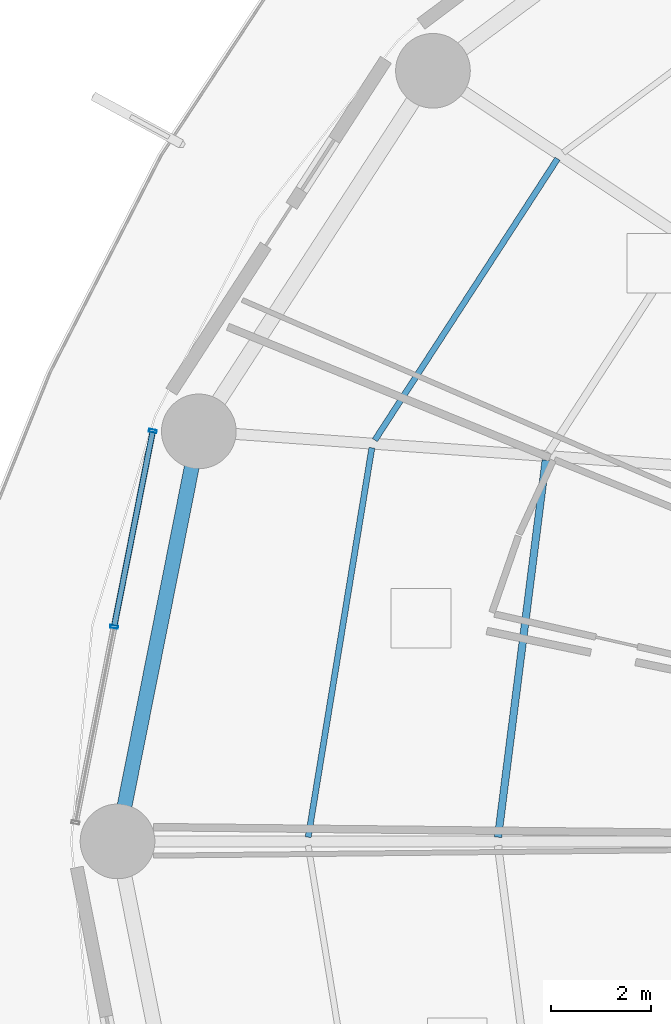
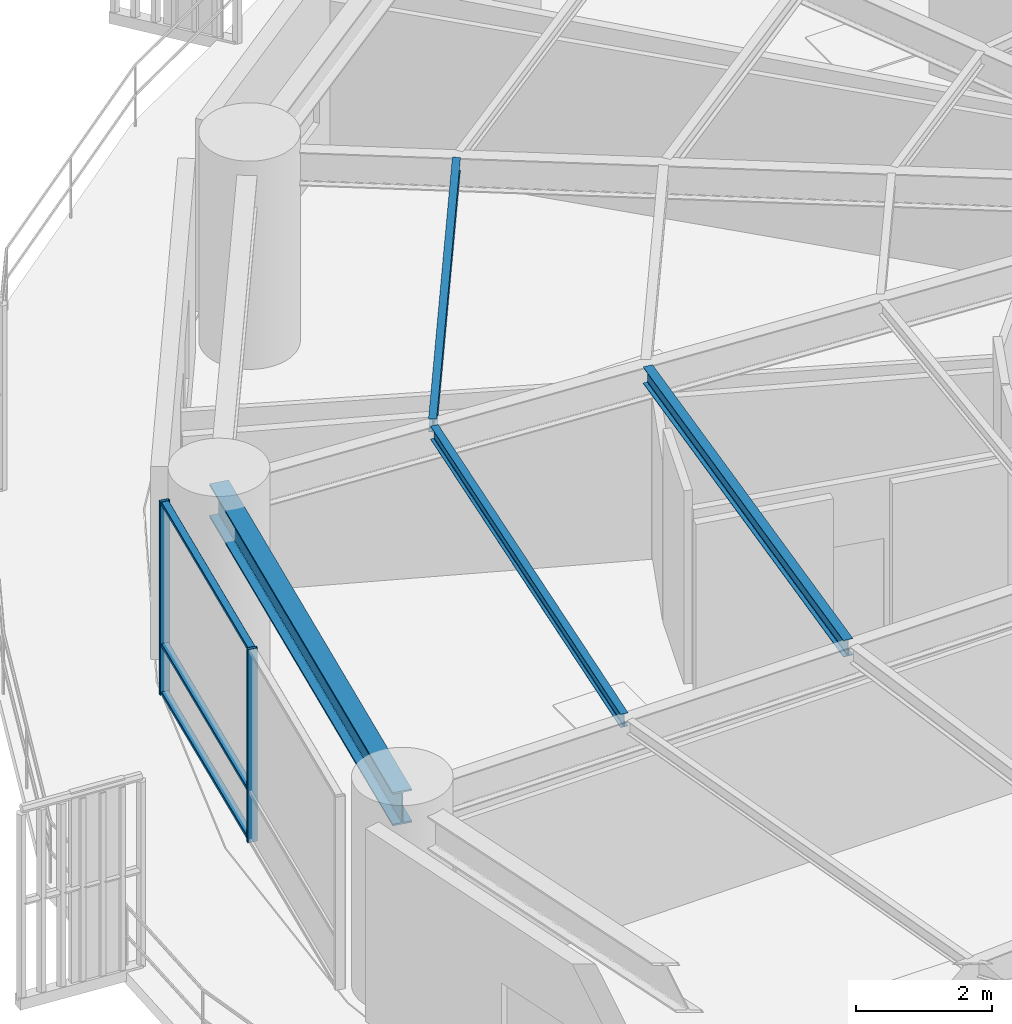
# One storey, part 15 of 34: 5 members, 4 beams, 1 element without a shape of its own.
"""IFC4 building model written with IfcOpenShell, lengths in metres."""

from ifc_helpers import new_model, si_unit, direction, frame, origin, origin_2d, place, context, subcontext, project, spatial, hollow_rectangle, i_section, extrude, material, layer, layer_set, material_profile, profile_set, type_object, element, aggregate, save


model = new_model("IFC4")

# Units and contexts
model_context = context("Model", 3, precision=1e-05, world=origin(), true_north=direction((0.0, 1.0)))
body_context = subcontext(model_context, "Body", "Model", "MODEL_VIEW")
ifc_project = project(units=[si_unit("LENGTHUNIT", "METRE"), si_unit("AREAUNIT", "SQUARE_METRE"), si_unit("VOLUMEUNIT", "CUBIC_METRE"), si_unit("PLANEANGLEUNIT", "RADIAN"), si_unit("MASSUNIT", "GRAM", prefix="KILO")], contexts=[model_context])

# Site, building, storey
site_placement = place(None, origin())
site = spatial("IfcSite", under=ifc_project, at=site_placement, CompositionType="ELEMENT")
building_placement = place(site_placement, origin())
building = spatial("IfcBuilding", under=site, at=building_placement, Name="Kelanora Arch Commons", CompositionType="ELEMENT")
storey_placement = place(building_placement, frame((0.0, 0.0, 30.0)))
storey = spatial("IfcBuildingStorey", under=building, at=storey_placement, Name="L07", CompositionType="ELEMENT", Elevation=30.0)

# Beams
ifc_material_1 = material(Name="Steel S355", Category="steel")
ifc_material_profile_1 = material_profile(ifc_material_1, i_section(OverallWidth=0.14990234375, OverallDepth=0.300048828125, WebThickness=0.007080078125, FlangeThickness=0.0107421875, FilletRadius=0.014892578125, at=origin_2d()), Name="IPE300")
ifc_profile_set_1 = profile_set([ifc_material_profile_1], Name="Steel S355")
beam_type_1 = type_object("IfcBeamType", Name="BM-JST-01", PredefinedType="JOIST", material=ifc_profile_set_1)
beam_1_placement = place(storey_placement, frame((55.521240234375, 65.6572265625, 3.340087890625), z_axis=(-0.125565841651, -0.992085288375, 0.0), x_axis=(0.992085288375, -0.125565841651, 0.0)))
element("IfcBeam", 1, at=beam_1_placement, inside=storey, type_object=beam_type_1, Name="Secondary Chord Joist BJB-16 L07", PredefinedType="JOIST", context=body_context, shape_type="SweptSolid", body=[
    extrude(i_section(OverallWidth=0.14990234375, OverallDepth=0.300048828125, WebThickness=0.007080078125, FlangeThickness=0.0107421875, FilletRadius=0.014892578125, at=origin_2d()), origin(), (0.0, 0.0, 1.0), 7.63330078125),
])
ifc_material_profile_2 = material_profile(ifc_material_1, i_section(OverallWidth=0.1201171875, OverallDepth=0.239990234375, WebThickness=0.006103515625, FlangeThickness=0.009765625, FilletRadius=0.014892578125, at=origin_2d()), Name="IPE240")
ifc_profile_set_2 = profile_set([ifc_material_profile_2], Name="Steel S355")
beam_type_2 = type_object("IfcBeamType", Name="BM-JST-02", PredefinedType="JOIST", material=ifc_profile_set_2)
beam_2_placement = place(storey_placement, frame((55.758056640625, 71.711181640625, 3.3701171875), z_axis=(-0.544550165372, -0.838728273873, 0.0), x_axis=(0.838728273873, -0.544550165372, 0.0)))
element("IfcBeam", 2, at=beam_2_placement, inside=storey, type_object=beam_type_2, Name="Secondary Chord Joist BJC-14 L07", PredefinedType="JOIST", context=body_context, shape_type="SweptSolid", body=[
    extrude(i_section(OverallWidth=0.1201171875, OverallDepth=0.239990234375, WebThickness=0.006103515625, FlangeThickness=0.009765625, FilletRadius=0.014892578125, at=origin_2d()), origin(), (0.0, 0.0, 1.0), 6.738037109375),
])
beam_3_placement = place(storey_placement, frame((52.02880859375, 65.90478515625, 3.3701171875), z_axis=(-0.161400737199, -0.986888951216, 0.0), x_axis=(0.986888951216, -0.161400737199, 0.0)))
element("IfcBeam", 3, at=beam_3_placement, inside=storey, type_object=beam_type_2, Name="Secondary Chord Joist BJC-16 L07", PredefinedType="JOIST", context=body_context, shape_type="SweptSolid", body=[
    extrude(i_section(OverallWidth=0.1201171875, OverallDepth=0.239990234375, WebThickness=0.006103515625, FlangeThickness=0.009765625, FilletRadius=0.014892578125, at=origin_2d()), origin(), (0.0, 0.0, 1.0), 7.9248046875),
])
ifc_material_profile_3 = material_profile(ifc_material_1, i_section(OverallWidth=0.300048828125, OverallDepth=0.60009765625, WebThickness=0.015380859375, FlangeThickness=0.030029296875, FilletRadius=0.027099609375, at=origin_2d()), Name="HEB600")
ifc_profile_set_3 = profile_set([ifc_material_profile_3], Name="Steel S355")
beam_type_3 = type_object("IfcBeamType", Name="BM-SPN-Z1", PredefinedType="SPANDREL", material=ifc_profile_set_3)
beam_4_placement = place(storey_placement, frame((48.552978515625, 66.23583984375, 3.18994140625), z_axis=(-0.194499827256, -0.980902552345, 0.0), x_axis=(0.980902552345, -0.194499827256, 0.0)))
element("IfcBeam", 4, at=beam_4_placement, inside=storey, type_object=beam_type_3, Name="Perimeter Spandrel Beam BS-16 L07", PredefinedType="SPANDREL", context=body_context, shape_type="SweptSolid", body=[
    extrude(i_section(OverallWidth=0.300048828125, OverallDepth=0.60009765625, WebThickness=0.015380859375, FlangeThickness=0.030029296875, FilletRadius=0.027099609375, at=origin_2d()), origin(), (0.0, 0.0, 1.0), 8.396240234375),
])

# Curtain wall, members
ifc_material_2 = material(Name="Terracotta ceramic-fritted low-E glass and aluminium", Category="masonry")
ifc_layer = layer(ifc_material_2, 0.159912109375)
ifc_layer_set = layer_set([ifc_layer], Name="Terracotta ceramic-fritted low-E glass and aluminium")
curtain_wall_type = type_object("IfcCurtainWallType", Name="CW-SYS-01", PredefinedType="NOTDEFINED", material=ifc_layer_set)
curtain_wall_placement = place(storey_placement, origin())
curtain_wall = element("IfcCurtainWall", 5, at=curtain_wall_placement, inside=storey, type_object=curtain_wall_type, Name="Unitised Curtain Wall L07-B08", PredefinedType="NOTDEFINED")
ifc_material_3 = material(Name="Powder-coated aluminium terracotta", Category="masonry")
ifc_material_profile_4 = material_profile(ifc_material_3, hollow_rectangle(XDim=0.159912109375, YDim=0.06005859375, WallThickness=0.0048828125, InnerFilletRadius=0.0048828125, OuterFilletRadius=0.010009765625, at=origin_2d()), Name="CWM160x60")
ifc_profile_set_4 = profile_set([ifc_material_profile_4], Name="Powder-coated aluminium terracotta")
member_type_1 = type_object("IfcMemberType", Name="CWM-STD", PredefinedType="MULLION", material=ifc_profile_set_4)
member_1_placement = place(storey_placement, frame((47.628173828125, 66.243896484375, 0.0), z_axis=(0.0, 0.0, 1.0), x_axis=(0.981052110579, -0.193744048498, 0.0)))
member_1 = element("IfcMember", 6, at=member_1_placement, type_object=member_type_1, Name="CW-01 mullion 1", PredefinedType="MULLION", context=body_context, shape_type="SweptSolid", body=[
    extrude(hollow_rectangle(XDim=0.159912109375, YDim=0.06005859375, WallThickness=0.0048828125, InnerFilletRadius=0.0048828125, OuterFilletRadius=0.010009765625, at=origin_2d()), origin(), (0.0, 0.0, 1.0), 3.47509765625),
])
member_2_placement = place(storey_placement, frame((46.8515625, 62.3115234375, 0.0), z_axis=(0.0, 0.0, 1.0), x_axis=(0.981052110579, -0.193744048498, 0.0)))
member_2 = element("IfcMember", 7, at=member_2_placement, type_object=member_type_1, Name="CW-01 mullion 2", PredefinedType="MULLION", context=body_context, shape_type="SweptSolid", body=[
    extrude(hollow_rectangle(XDim=0.159912109375, YDim=0.06005859375, WallThickness=0.0048828125, InnerFilletRadius=0.0048828125, OuterFilletRadius=0.010009765625, at=origin_2d()), origin(), (0.0, 0.0, 1.0), 3.47509765625),
])
ifc_material_profile_5 = material_profile(ifc_material_3, hollow_rectangle(XDim=0.1201171875, YDim=0.06005859375, WallThickness=0.0048828125, InnerFilletRadius=0.0048828125, OuterFilletRadius=0.010009765625, at=origin_2d()), Name="CWT120x60")
ifc_profile_set_5 = profile_set([ifc_material_profile_5], Name="Powder-coated aluminium terracotta")
member_type_2 = type_object("IfcMemberType", Name="CWT-STD", PredefinedType="USERDEFINED", material=ifc_profile_set_5)
member_3_placement = place(storey_placement, frame((47.622314453125, 66.21435546875, 0.030029296875), z_axis=(-0.193725436624, -0.98105578598, 0.0), x_axis=(0.98105578598, -0.193725436624, 0.0)))
member_3 = element("IfcMember", 8, at=member_3_placement, type_object=member_type_2, Name="CW-01 transom 1.1", ObjectType="TRANSOM", PredefinedType="USERDEFINED", context=body_context, shape_type="SweptSolid", body=[
    extrude(hollow_rectangle(XDim=0.1201171875, YDim=0.06005859375, WallThickness=0.0048828125, InnerFilletRadius=0.0048828125, OuterFilletRadius=0.010009765625, at=origin_2d()), origin(), (0.0, 0.0, 1.0), 3.9482421875),
])
member_4_placement = place(storey_placement, frame((47.622314453125, 66.21435546875, 0.89990234375), z_axis=(-0.193725436624, -0.98105578598, 0.0), x_axis=(0.98105578598, -0.193725436624, 0.0)))
member_4 = element("IfcMember", 9, at=member_4_placement, type_object=member_type_2, Name="CW-01 transom 1.2", ObjectType="TRANSOM", PredefinedType="USERDEFINED", context=body_context, shape_type="SweptSolid", body=[
    extrude(hollow_rectangle(XDim=0.1201171875, YDim=0.06005859375, WallThickness=0.0048828125, InnerFilletRadius=0.0048828125, OuterFilletRadius=0.010009765625, at=origin_2d()), origin(), (0.0, 0.0, 1.0), 3.9482421875),
])
member_5_placement = place(storey_placement, frame((47.622314453125, 66.21435546875, 3.445068359375), z_axis=(-0.193725436624, -0.98105578598, 0.0), x_axis=(0.98105578598, -0.193725436624, 0.0)))
member_5 = element("IfcMember", 10, at=member_5_placement, type_object=member_type_2, Name="CW-01 transom 1.3", ObjectType="TRANSOM", PredefinedType="USERDEFINED", context=body_context, shape_type="SweptSolid", body=[
    extrude(hollow_rectangle(XDim=0.1201171875, YDim=0.06005859375, WallThickness=0.0048828125, InnerFilletRadius=0.0048828125, OuterFilletRadius=0.010009765625, at=origin_2d()), origin(), (0.0, 0.0, 1.0), 3.9482421875),
])
aggregate(curtain_wall, [member_1, member_2, member_3, member_4, member_5])

save(model, "model.ifc")
